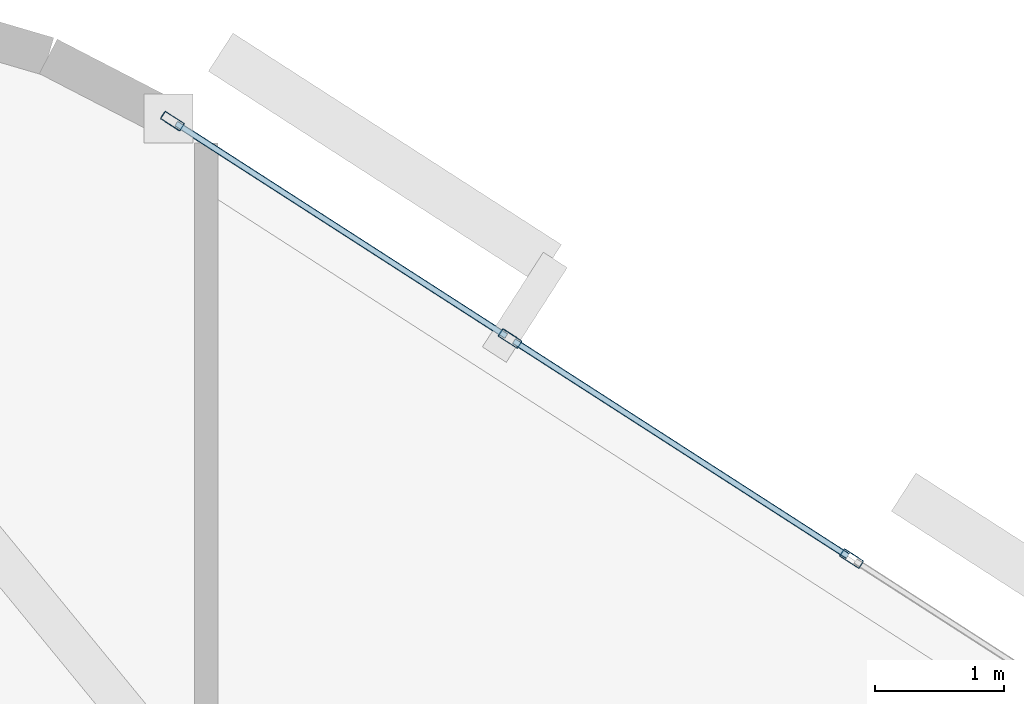
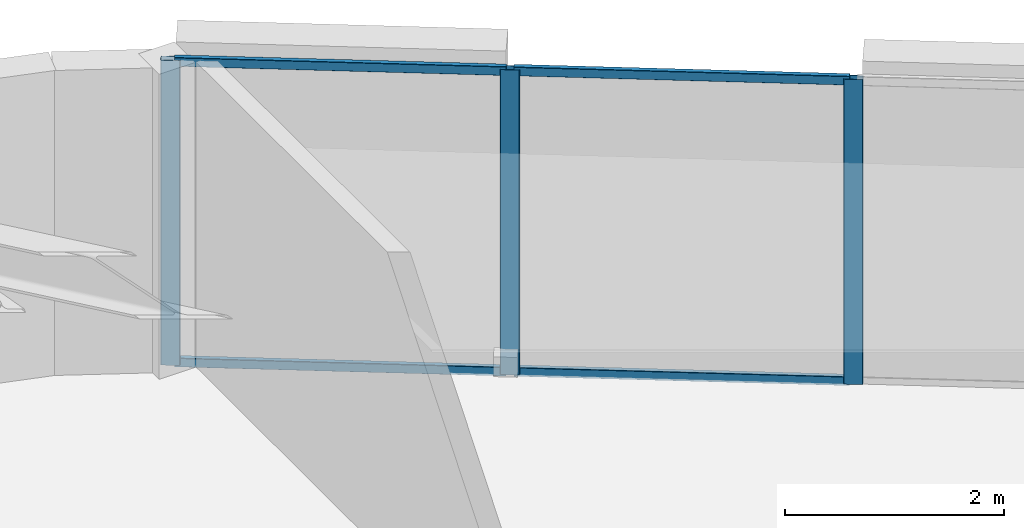
# One storey, part 6 of 12: 7 members, 1 element without a shape of its own.
"""IFC4 building model written with IfcOpenShell, lengths in metres."""

from ifc_helpers import new_model, si_unit, direction, frame, origin, origin_2d, place, context, subcontext, project, spatial, hollow_rectangle, extrude, material, layer, layer_set, material_profile, profile_set, type_object, element, aggregate, save


model = new_model("IFC4")

# Units and contexts
model_context = context("Model", 3, precision=1e-05, world=origin(), true_north=direction((0.0, 1.0)))
body_context = subcontext(model_context, "Body", "Model", "MODEL_VIEW")
ifc_project = project(units=[si_unit("LENGTHUNIT", "METRE"), si_unit("AREAUNIT", "SQUARE_METRE"), si_unit("VOLUMEUNIT", "CUBIC_METRE"), si_unit("PLANEANGLEUNIT", "RADIAN"), si_unit("MASSUNIT", "GRAM", prefix="KILO")], contexts=[model_context])

# Site, building, storey
site_placement = place(None, origin())
site = spatial("IfcSite", under=ifc_project, at=site_placement, CompositionType="ELEMENT")
building_placement = place(site_placement, origin())
building = spatial("IfcBuilding", under=site, at=building_placement, Name="An Khanh Terracotta Commons", CompositionType="ELEMENT")
storey_placement = place(building_placement, frame((0.0, 0.0, 161.800048828125)))
storey = spatial("IfcBuildingStorey", under=building, at=storey_placement, Name="L42", CompositionType="ELEMENT", Elevation=161.800048828125)

# Curtain wall, members
ifc_material = material(Name="Anodised Aluminium 6063-T6", Category="aluminium")
ifc_layer = layer(ifc_material, 0.2099609375, Name="Anodised Aluminium 6063-T6")
ifc_layer_set = layer_set([ifc_layer], Name="Anodised Aluminium 6063-T6")
curtain_wall_type = type_object("IfcCurtainWallType", Name="CW-SYS-03", PredefinedType="USERDEFINED", material=ifc_layer_set)
curtain_wall_placement = place(storey_placement, origin())
curtain_wall = element("IfcCurtainWall", 1, at=curtain_wall_placement, inside=storey, type_object=curtain_wall_type, Name="L42 CW-03 Unitised Curtain Wall CW-L42-16", ObjectType="UNITISED CURTAIN WALL", PredefinedType="USERDEFINED")
ifc_material_profile_1 = material_profile(ifc_material, hollow_rectangle(XDim=0.070068359375, YDim=0.179931640625, WallThickness=0.00390625, InnerFilletRadius=0.00390625, OuterFilletRadius=0.008056640625, at=origin_2d()), Name="RHS180x70x4")
ifc_profile_set_1 = profile_set([ifc_material_profile_1], Name="Anodised Aluminium 6063-T6")
member_type_1 = type_object("IfcMemberType", Name="CWM-RHS180x70x4", PredefinedType="MULLION", material=ifc_profile_set_1)
member_1_placement = place(storey_placement, frame((57.838623046875, 37.52392578125, 0.0), z_axis=(0.0, 0.0, 1.0), x_axis=(-0.541497931062, -0.840702081986, 0.0)))
member_1 = element("IfcMember", 2, at=member_1_placement, type_object=member_type_1, Name="CW-03 mullion 2", PredefinedType="MULLION", context=body_context, shape_type="SweptSolid", body=[
    extrude(hollow_rectangle(XDim=0.070068359375, YDim=0.179931640625, WallThickness=0.00390625, InnerFilletRadius=0.00390625, OuterFilletRadius=0.008056640625, at=origin_2d()), origin(), (0.0, 0.0, 1.0), 3.39990234375),
])
member_2_placement = place(storey_placement, frame((55.19921875, 39.22412109375, 0.0), z_axis=(0.0, 0.0, 1.0), x_axis=(-0.541497931062, -0.840702081986, 0.0)))
member_2 = element("IfcMember", 3, at=member_2_placement, type_object=member_type_1, Name="CW-03 mullion 3", PredefinedType="MULLION", context=body_context, shape_type="SweptSolid", body=[
    extrude(hollow_rectangle(XDim=0.070068359375, YDim=0.179931640625, WallThickness=0.00390625, InnerFilletRadius=0.00390625, OuterFilletRadius=0.008056640625, at=origin_2d()), origin(), (0.0, 0.0, 1.0), 3.39990234375),
])
member_3_placement = place(storey_placement, frame((52.58935546875, 40.905029296875, 0.0), z_axis=(0.0, 0.0, 1.0), x_axis=(-0.541497931062, -0.840702081986, 0.0)))
member_3 = element("IfcMember", 4, at=member_3_placement, type_object=member_type_1, Name="CW-03 mullion 4", PredefinedType="MULLION", context=body_context, shape_type="SweptSolid", body=[
    extrude(hollow_rectangle(XDim=0.070068359375, YDim=0.179931640625, WallThickness=0.00390625, InnerFilletRadius=0.00390625, OuterFilletRadius=0.008056640625, at=origin_2d()), origin(), (0.0, 0.0, 1.0), 3.39990234375),
])
ifc_material_profile_2 = material_profile(ifc_material, hollow_rectangle(XDim=0.050048828125, YDim=0.10009765625, WallThickness=0.003173828125, InnerFilletRadius=0.003173828125, OuterFilletRadius=0.00634765625, at=origin_2d()), Name="RHS100x50x3.2")
ifc_profile_set_2 = profile_set([ifc_material_profile_2], Name="Anodised Aluminium 6063-T6")
member_type_2 = type_object("IfcMemberType", Name="CWT-RHS100x50x3.2", PredefinedType="USERDEFINED", material=ifc_profile_set_2)
member_4_placement = place(storey_placement, frame((57.809326171875, 37.54296875, 0.02490234375), z_axis=(-0.840707825526, 0.54148901383, 0.0), x_axis=(-0.54148901383, -0.840707825526, 0.0)))
member_4 = element("IfcMember", 5, at=member_4_placement, type_object=member_type_2, Name="CW-03 transom 2.1", ObjectType="TRANSOM", PredefinedType="USERDEFINED", context=body_context, shape_type="SweptSolid", body=[
    extrude(hollow_rectangle(XDim=0.050048828125, YDim=0.10009765625, WallThickness=0.003173828125, InnerFilletRadius=0.003173828125, OuterFilletRadius=0.00634765625, at=origin_2d()), origin(), (0.0, 0.0, 1.0), 3.069580078125),
])
member_5_placement = place(storey_placement, frame((57.809326171875, 37.54296875, 3.375), z_axis=(-0.840707825526, 0.54148901383, 0.0), x_axis=(-0.54148901383, -0.840707825526, 0.0)))
member_5 = element("IfcMember", 6, at=member_5_placement, type_object=member_type_2, Name="CW-03 transom 2.2", ObjectType="TRANSOM", PredefinedType="USERDEFINED", context=body_context, shape_type="SweptSolid", body=[
    extrude(hollow_rectangle(XDim=0.050048828125, YDim=0.10009765625, WallThickness=0.003173828125, InnerFilletRadius=0.003173828125, OuterFilletRadius=0.00634765625, at=origin_2d()), origin(), (0.0, 0.0, 1.0), 3.069580078125),
])
member_6_placement = place(storey_placement, frame((55.169921875, 39.242919921875, 0.02490234375), z_axis=(-0.840710223453, 0.541485290826, 0.0), x_axis=(-0.541485290826, -0.840710223453, 0.0)))
member_6 = element("IfcMember", 7, at=member_6_placement, type_object=member_type_2, Name="CW-03 transom 3.1", ObjectType="TRANSOM", PredefinedType="USERDEFINED", context=body_context, shape_type="SweptSolid", body=[
    extrude(hollow_rectangle(XDim=0.050048828125, YDim=0.10009765625, WallThickness=0.003173828125, InnerFilletRadius=0.003173828125, OuterFilletRadius=0.00634765625, at=origin_2d()), origin(), (0.0, 0.0, 1.0), 3.034423828125),
])
member_7_placement = place(storey_placement, frame((55.169921875, 39.242919921875, 3.375), z_axis=(-0.840710223453, 0.541485290826, 0.0), x_axis=(-0.541485290826, -0.840710223453, 0.0)))
member_7 = element("IfcMember", 8, at=member_7_placement, type_object=member_type_2, Name="CW-03 transom 3.2", ObjectType="TRANSOM", PredefinedType="USERDEFINED", context=body_context, shape_type="SweptSolid", body=[
    extrude(hollow_rectangle(XDim=0.050048828125, YDim=0.10009765625, WallThickness=0.003173828125, InnerFilletRadius=0.003173828125, OuterFilletRadius=0.00634765625, at=origin_2d()), origin(), (0.0, 0.0, 1.0), 3.034423828125),
])
aggregate(curtain_wall, [member_1, member_2, member_3, member_4, member_5, member_6, member_7])

save(model, "model.ifc")
